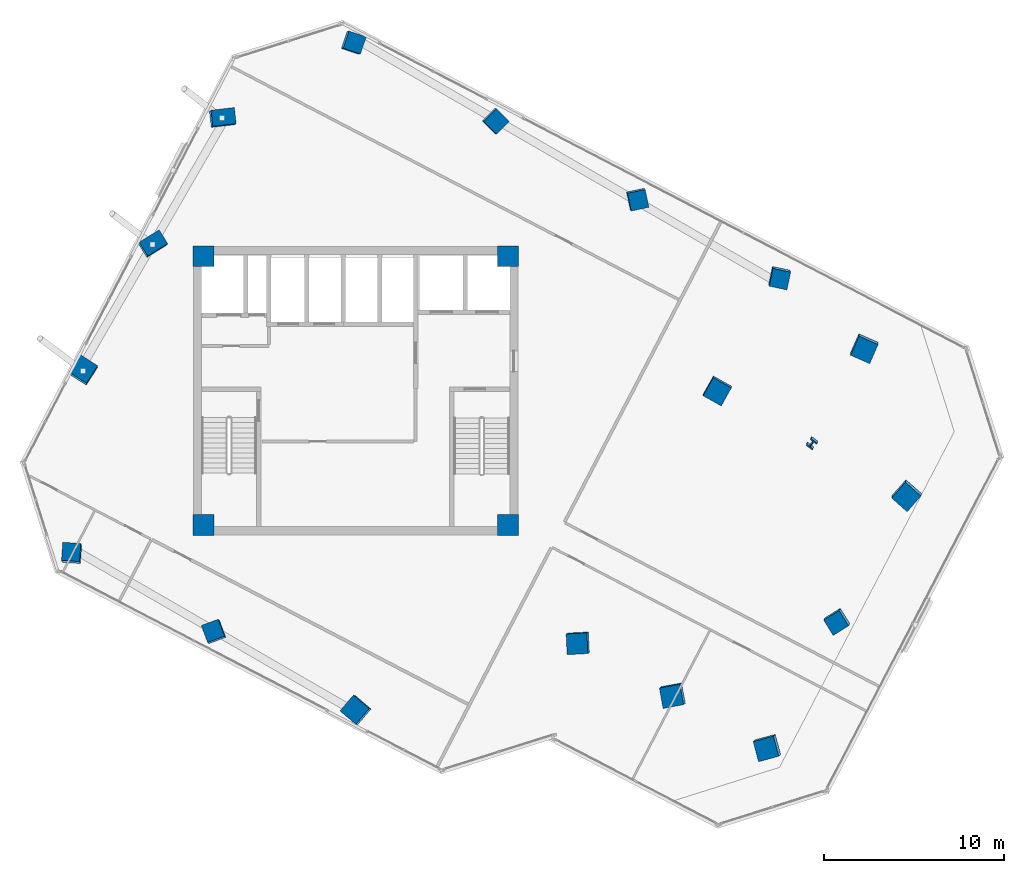
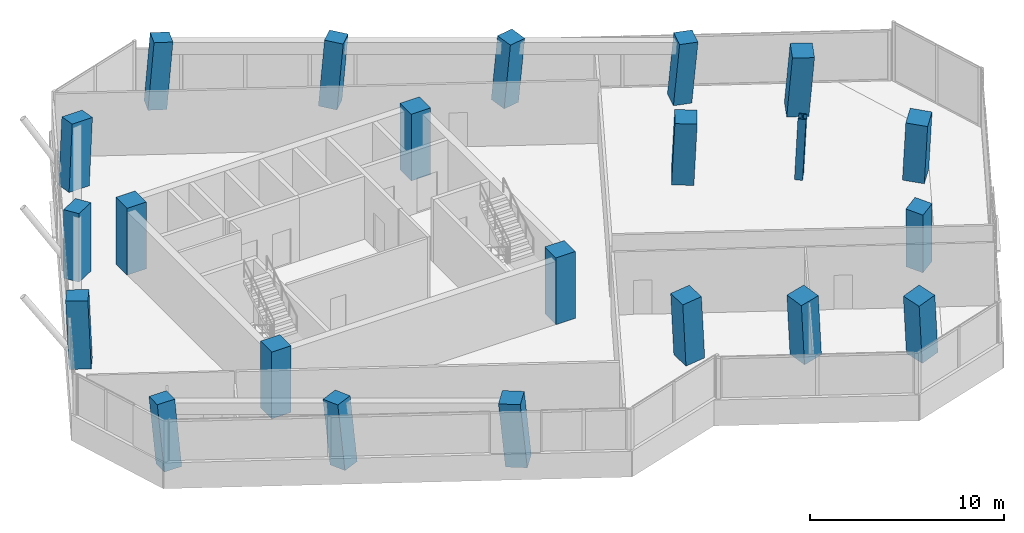
# One storey, part 1 of 22: 22 columns.
"""IFC4 building model written with IfcOpenShell, lengths in metres."""

from ifc_helpers import new_model, si_unit, direction, frame, origin, origin_2d, place, context, subcontext, project, spatial, rectangle, i_section, extrude, clip, halfspace, source, transform, mapped, material, material_profile, profile_set, type_object, element, save


model = new_model("IFC4")

# Units and contexts
model_context = context("Model", 3, precision=1e-05, world=origin(), true_north=direction((0.0, 1.0)))
body_context = subcontext(model_context, "Body", "Model", "MODEL_VIEW")
ifc_project = project(units=[si_unit("LENGTHUNIT", "METRE"), si_unit("AREAUNIT", "SQUARE_METRE"), si_unit("VOLUMEUNIT", "CUBIC_METRE"), si_unit("PLANEANGLEUNIT", "RADIAN"), si_unit("MASSUNIT", "GRAM", prefix="KILO")], contexts=[model_context])

# Site, building, storey
site_placement = place(None, origin())
site = spatial("IfcSite", under=ifc_project, at=site_placement, CompositionType="ELEMENT")
building_placement = place(site_placement, origin())
building = spatial("IfcBuilding", under=site, at=building_placement, Name="Torre Montelarca", CompositionType="ELEMENT")
storey_placement = place(building_placement, frame((0.0, 0.0, 175.0)))
storey = spatial("IfcBuildingStorey", under=building, at=storey_placement, Name="L39", CompositionType="ELEMENT", Elevation=175.0)

# Columns
ifc_material_1 = material(Name="Concrete C55/67", Category="concrete")
ifc_material_profile_1 = material_profile(ifc_material_1, rectangle(XDim=0.89990234375, YDim=1.300048828125, at=origin_2d()), Name="RC1300X900", Category="concrete")
ifc_profile_set_1 = profile_set([ifc_material_profile_1], Name="Concrete C55/67")
column_type_1 = type_object("IfcColumnType", Name="COL-PIL1300-EXT", PredefinedType="PILASTER", material=ifc_profile_set_1)
column_1_placement = place(storey_placement, frame((6.727294921875, 40.104736328125, 0.0), z_axis=(0.042736194297, 0.075975456529, 0.996193428859), x_axis=(0.52922107103, -0.847447407384, 0.041927910717)))
element("IfcColumn", 1, at=column_1_placement, inside=storey, type_object=column_type_1, Name="L39 Column 1W/E", PredefinedType="PILASTER", context=body_context, shape_type="Clipping", body=[
    clip(clip(extrude(rectangle(XDim=0.89990234375, YDim=1.300048828125, at=origin_2d()), origin(), (0.0, 0.0, 1.0), 4.216064453125), halfspace(frame((0.0, 0.0, 0.069580078125), z_axis=(0.0, 0.0, -1.0), x_axis=(1.0, 0.0, 0.0)), False)), halfspace(frame((0.0, 0.0, 4.146484375), z_axis=(0.0, 0.0, 1.0), x_axis=(1.0, 0.0, 0.0)), False)),
])
column_2_placement = place(storey_placement, frame((10.5751953125, 47.118408203125, 0.0), z_axis=(0.078745413321, 0.055659873339, 0.995339710039), x_axis=(0.115101966817, -0.992270247351, 0.046382038081)))
element("IfcColumn", 2, at=column_2_placement, inside=storey, type_object=column_type_1, Name="L39 Column 1W/F", PredefinedType="PILASTER", context=body_context, shape_type="Clipping", body=[
    clip(clip(extrude(rectangle(XDim=0.89990234375, YDim=1.300048828125, at=origin_2d()), origin(), (0.0, 0.0, 1.0), 4.2197265625), halfspace(frame((0.0, 0.0, 0.076904296875), z_axis=(0.0, 0.0, -1.0), x_axis=(1.0, 0.0, 0.0)), False)), halfspace(frame((0.0, 0.0, 4.142822265625), z_axis=(0.0, 0.0, 1.0), x_axis=(1.0, 0.0, 0.0)), False)),
])
ifc_material_profile_2 = material_profile(ifc_material_1, rectangle(XDim=1.0, YDim=1.0, at=origin_2d()), Name="RC1000X1000", Category="concrete")
ifc_profile_set_2 = profile_set([ifc_material_profile_2], Name="Concrete C55/67")
column_type_2 = type_object("IfcColumnType", Name="COL-RC1000-EXT", PredefinedType="COLUMN", material=ifc_profile_set_2)
column_3_placement = place(storey_placement, frame((2.267822265625, 22.9326171875, 0.0), z_axis=(-0.045702324367, 0.099840223143, 0.993953332602), x_axis=(0.996162629473, -0.069790249582, 0.052814171435)))
element("IfcColumn", 3, at=column_3_placement, inside=storey, type_object=column_type_2, Name="L39 Column 2/CS", PredefinedType="COLUMN", context=body_context, shape_type="Clipping", body=[
    clip(clip(extrude(rectangle(XDim=1.0, YDim=1.0, at=origin_2d()), origin(), (0.0, 0.0, 1.0), 4.2255859375), halfspace(frame((0.0, 0.0, 0.07568359375), z_axis=(0.0, 0.0, -1.0), x_axis=(1.0, 0.0, 0.0)), False)), halfspace(frame((0.0, 0.0, 4.14990234375), z_axis=(0.0, 0.0, 1.0), x_axis=(1.0, 0.0, 0.0)), False)),
])
column_4_placement = place(storey_placement, frame((17.827880859375, 51.294921875, 0.0), z_axis=(0.099928697184, 0.017869194114, 0.994834130587), x_axis=(-0.316704561364, -0.94726667041, 0.048827000127)))
element("IfcColumn", 4, at=column_4_placement, inside=storey, type_object=column_type_2, Name="L39 Column 2/GN", PredefinedType="COLUMN", context=body_context, shape_type="Clipping", body=[
    clip(clip(extrude(rectangle(XDim=1.0, YDim=1.0, at=origin_2d()), origin(), (0.0, 0.0, 1.0), 4.2216796875), halfspace(frame((0.0, 0.0, 0.070068359375), z_axis=(0.0, 0.0, -1.0), x_axis=(1.0, 0.0, 0.0)), False)), halfspace(frame((0.0, 0.0, 4.151611328125), z_axis=(0.0, 0.0, 1.0), x_axis=(1.0, 0.0, 0.0)), False)),
])
column_5_placement = place(storey_placement, frame((10.158447265625, 18.603759765625, 0.0), z_axis=(-0.068656550624, 0.059452173264, 0.995867319049), x_axis=(0.936025250546, 0.349211237631, 0.043683427664)))
element("IfcColumn", 5, at=column_5_placement, inside=storey, type_object=column_type_2, Name="L39 Column 3/CS", PredefinedType="COLUMN", context=body_context, shape_type="Clipping", body=[
    clip(clip(extrude(rectangle(XDim=1.0, YDim=1.0, at=origin_2d()), origin(), (0.0, 0.0, 1.0), 4.21728515625), halfspace(frame((0.0, 0.0, 0.0625), z_axis=(0.0, 0.0, -1.0), x_axis=(1.0, 0.0, 0.0)), False)), halfspace(frame((0.0, 0.0, 4.15478515625), z_axis=(0.0, 0.0, 1.0), x_axis=(1.0, 0.0, 0.0)), False)),
])
column_6_placement = place(storey_placement, frame((25.718505859375, 46.9658203125, 0.0), z_axis=(0.077235078987, -0.022654850625, 0.996755486725), x_axis=(-0.706813326993, -0.706339945504, 0.038714366459)))
element("IfcColumn", 6, at=column_6_placement, inside=storey, type_object=column_type_2, Name="L39 Column 3/GN", PredefinedType="COLUMN", context=body_context, shape_type="Clipping", body=[
    clip(clip(extrude(rectangle(XDim=1.0, YDim=1.0, at=origin_2d()), origin(), (0.0, 0.0, 1.0), 4.213623046875), halfspace(frame((0.0, 0.0, 0.0556640625), z_axis=(0.0, 0.0, -1.0), x_axis=(1.0, 0.0, 0.0)), False)), halfspace(frame((0.0, 0.0, 4.157958984375), z_axis=(0.0, 0.0, 1.0), x_axis=(1.0, 0.0, 0.0)), False)),
])
column_7_placement = place(storey_placement, frame((33.60888671875, 42.636962890625, 0.0), z_axis=(0.054393222094, -0.063256015471, 0.996513950679), x_axis=(-0.977264659428, -0.208191259518, 0.040127109214)))
element("IfcColumn", 7, at=column_7_placement, inside=storey, type_object=column_type_2, Name="L39 Column 4/GN", PredefinedType="COLUMN", context=body_context, shape_type="Clipping", body=[
    clip(clip(extrude(rectangle(XDim=1.0, YDim=1.0, at=origin_2d()), origin(), (0.0, 0.0, 1.0), 4.214599609375), halfspace(frame((0.0, 0.0, 0.0576171875), z_axis=(0.0, 0.0, -1.0), x_axis=(1.0, 0.0, 0.0)), False)), halfspace(frame((0.0, 0.0, 4.156982421875), z_axis=(0.0, 0.0, 1.0), x_axis=(1.0, 0.0, 0.0)), False)),
])
column_8_placement = place(storey_placement, frame((41.49951171875, 38.30810546875, 0.0), z_axis=(0.031436475179, -0.103613235287, 0.994120739901), x_axis=(-0.977788289005, 0.203021483384, 0.052080122591)))
element("IfcColumn", 8, at=column_8_placement, inside=storey, type_object=column_type_2, Name="L39 Column 5/GN", PredefinedType="COLUMN", context=body_context, shape_type="Clipping", body=[
    clip(clip(extrude(rectangle(XDim=1.0, YDim=1.0, at=origin_2d()), origin(), (0.0, 0.0, 1.0), 4.224853515625), halfspace(frame((0.0, 0.0, 0.07470703125), z_axis=(0.0, 0.0, -1.0), x_axis=(1.0, 0.0, 0.0)), False)), halfspace(frame((0.0, 0.0, 4.150146484375), z_axis=(0.0, 0.0, 1.0), x_axis=(1.0, 0.0, 0.0)), False)),
])
column_9_placement = place(storey_placement, frame((44.7333984375, 19.25390625, 0.0), z_axis=(-0.066915065286, -0.118857740749, 0.99065393125), x_axis=(-0.530216325585, 0.845320310072, 0.065606565695)))
element("IfcColumn", 9, at=column_9_placement, inside=storey, type_object=column_type_2, Name="L39 Column 7/E", PredefinedType="COLUMN", context=body_context, shape_type="Clipping", body=[
    clip(clip(extrude(rectangle(XDim=1.0, YDim=1.0, at=origin_2d()), origin(), (0.0, 0.0, 1.0), 4.239501953125), halfspace(frame((0.0, 0.0, 0.09423828125), z_axis=(0.0, 0.0, -1.0), x_axis=(1.0, 0.0, 0.0)), False)), halfspace(frame((0.0, 0.0, 4.145263671875), z_axis=(0.0, 0.0, 1.0), x_axis=(1.0, 0.0, 0.0)), False)),
])
ifc_material_profile_3 = material_profile(ifc_material_1, rectangle(XDim=1.14990234375, YDim=1.14990234375, at=origin_2d()), Name="RC1150X1150", Category="concrete")
ifc_profile_set_3 = profile_set([ifc_material_profile_3], Name="Concrete C55/67")
column_type_3 = type_object("IfcColumnType", Name="COL-RC1150", PredefinedType="COLUMN", material=ifc_profile_set_3)
column_10_placement = place(storey_placement, frame((30.364501953125, 18.01171875, 0.0), z_axis=(-0.072857964063, -0.045058422926, 0.996323971204), x_axis=(-0.05356759986, 0.997713755824, 0.041204049376)))
element("IfcColumn", 10, at=column_10_placement, inside=storey, type_object=column_type_3, Name="L39 Column 5/D", PredefinedType="COLUMN", context=body_context, shape_type="Clipping", body=[
    clip(clip(extrude(rectangle(XDim=1.14990234375, YDim=1.14990234375, at=origin_2d()), origin(), (0.0, 0.0, 1.0), 4.21533203125), halfspace(frame((0.0, 0.0, 0.06787109375), z_axis=(0.0, 0.0, -1.0), x_axis=(1.0, 0.0, 0.0)), False)), halfspace(frame((0.0, 0.0, 4.1474609375), z_axis=(0.0, 0.0, 1.0), x_axis=(1.0, 0.0, 0.0)), False)),
])
column_11_placement = place(storey_placement, frame((38.060302734375, 32.03955078125, 0.0), z_axis=(-0.000694985386, -0.08571486428, 0.996319466354), x_axis=(-0.872812511022, 0.486311083762, 0.041229242216)))
element("IfcColumn", 11, at=column_11_placement, inside=storey, type_object=column_type_3, Name="L39 Column 5/F", PredefinedType="COLUMN", context=body_context, shape_type="Clipping", body=[
    clip(clip(extrude(rectangle(XDim=1.14990234375, YDim=1.14990234375, at=origin_2d()), origin(), (0.0, 0.0, 1.0), 4.215576171875), halfspace(frame((0.0, 0.0, 0.06787109375), z_axis=(0.0, 0.0, -1.0), x_axis=(1.0, 0.0, 0.0)), False)), halfspace(frame((0.0, 0.0, 4.147705078125), z_axis=(0.0, 0.0, 1.0), x_axis=(1.0, 0.0, 0.0)), False)),
])
column_12_placement = place(storey_placement, frame((35.625, 15.1259765625, 0.0), z_axis=(-0.08790022673, -0.071960369583, 0.993526675711), x_axis=(-0.185602299854, 0.98110461781, 0.054639868245)))
element("IfcColumn", 12, at=column_12_placement, inside=storey, type_object=column_type_3, Name="L39 Column 6/D", PredefinedType="COLUMN", context=body_context, shape_type="Clipping", body=[
    clip(clip(extrude(rectangle(XDim=1.14990234375, YDim=1.14990234375, at=origin_2d()), origin(), (0.0, 0.0, 1.0), 4.227294921875), halfspace(frame((0.0, 0.0, 0.090087890625), z_axis=(0.0, 0.0, -1.0), x_axis=(1.0, 0.0, 0.0)), False)), halfspace(frame((0.0, 0.0, 4.13720703125), z_axis=(0.0, 0.0, 1.0), x_axis=(1.0, 0.0, 0.0)), False)),
])
column_13_placement = place(storey_placement, frame((46.206787109375, 34.413818359375, 0.0), z_axis=(0.011011629628, -0.127354397115, 0.99179614919), x_axis=(-0.914561693173, 0.399745612857, 0.061484586537)))
element("IfcColumn", 13, at=column_13_placement, inside=storey, type_object=column_type_3, Name="L39 Column 6/G", PredefinedType="COLUMN", context=body_context, shape_type="Clipping", body=[
    clip(clip(extrude(rectangle(XDim=1.14990234375, YDim=1.14990234375, at=origin_2d()), origin(), (0.0, 0.0, 1.0), 4.234619140625), halfspace(frame((0.0, 0.0, 0.101318359375), z_axis=(0.0, 0.0, -1.0), x_axis=(1.0, 0.0, 0.0)), False)), halfspace(frame((0.0, 0.0, 4.13330078125), z_axis=(0.0, 0.0, 1.0), x_axis=(1.0, 0.0, 0.0)), False)),
])
ifc_material_profile_4 = material_profile(ifc_material_1, rectangle(XDim=1.14990234375, YDim=1.14990234375, at=origin_2d()), Name="RC1150X1150", Category="concrete")
ifc_profile_set_4 = profile_set([ifc_material_profile_4], Name="Concrete C55/67")
column_type_4 = type_object("IfcColumnType", Name="COL-RC1150-EXT", PredefinedType="COLUMN", material=ifc_profile_set_4)
column_14_placement = place(storey_placement, frame((18.049072265625, 14.27490234375, 0.0), z_axis=(-0.091500617733, 0.018867300051, 0.995626266198), x_axis=(0.646073035963, 0.761951658232, 0.044936652286)))
element("IfcColumn", 14, at=column_14_placement, inside=storey, type_object=column_type_4, Name="L39 Column 4/CS", PredefinedType="COLUMN", context=body_context, shape_type="Clipping", body=[
    clip(clip(extrude(rectangle(XDim=1.14990234375, YDim=1.14990234375, at=origin_2d()), origin(), (0.0, 0.0, 1.0), 4.218505859375), halfspace(frame((0.0, 0.0, 0.073974609375), z_axis=(0.0, 0.0, -1.0), x_axis=(1.0, 0.0, 0.0)), False)), halfspace(frame((0.0, 0.0, 4.14453125), z_axis=(0.0, 0.0, 1.0), x_axis=(1.0, 0.0, 0.0)), False)),
])
for number, where, z_axis, x_axis, name in (
    (15, (40.88525390625, 12.239990234375, 0.0), (-0.102647428215, -0.098562244693, 0.989822706045), (-0.263814321847, 0.962141844179, 0.068447609656), "L39 Column 7/D"),
    (16, (48.581298828125, 26.267578125, 0.0), (-0.031012826298, -0.138896034665, 0.989821244548), (-0.751909306924, 0.655703171825, 0.068452499003), "L39 Column 7/F"),
):
    element("IfcColumn", number, at=place(storey_placement, frame(where, z_axis=z_axis, x_axis=x_axis)), inside=storey, type_object=column_type_4, Name=name, PredefinedType="COLUMN", context=body_context, shape_type="Clipping", body=[
        clip(clip(extrude(rectangle(XDim=1.14990234375, YDim=1.14990234375, at=origin_2d()), origin(), (0.0, 0.0, 1.0), 4.2431640625), halfspace(frame((0.0, 0.0, 0.113037109375), z_axis=(0.0, 0.0, -1.0), x_axis=(1.0, 0.0, 0.0)), False)), halfspace(frame((0.0, 0.0, 4.130126953125), z_axis=(0.0, 0.0, 1.0), x_axis=(1.0, 0.0, 0.0)), False)),
    ])
column_15_placement = place(storey_placement, frame((2.879150390625, 33.0908203125, 0.0), z_axis=(0.006711571404, 0.096218476248, 0.995337610883), x_axis=(0.841288372438, -0.538592252257, 0.046392458542)))
element("IfcColumn", 17, at=column_15_placement, inside=storey, type_object=column_type_4, Name="L39 Column 1W/D", PredefinedType="COLUMN", context=body_context, shape_type="Clipping", body=[
    clip(clip(extrude(rectangle(XDim=1.14990234375, YDim=1.14990234375, at=origin_2d()), origin(), (0.0, 0.0, 1.0), 4.2197265625), halfspace(frame((0.0, 0.0, 0.076416015625), z_axis=(0.0, 0.0, -1.0), x_axis=(1.0, 0.0, 0.0)), False)), halfspace(frame((0.0, 0.0, 4.143310546875), z_axis=(0.0, 0.0, 1.0), x_axis=(1.0, 0.0, 0.0)), False)),
])
ifc_material_2 = material(Name="Steel ASTM A992 Grade 50", Category="steel")
ifc_material_profile_5 = material_profile(ifc_material_2, i_section(OverallWidth=0.4208984375, OverallDepth=0.465087890625, WebThickness=0.044921875, FlangeThickness=0.072265625, FilletRadius=0.014892578125, at=origin_2d()), Name="W360X592", Category="steel")
ifc_profile_set_5 = profile_set([ifc_material_profile_5], Name="Steel ASTM A992 Grade 50")
column_type_5 = type_object("IfcColumnType", Name="COL-W360X592", PredefinedType="COLUMN", material=ifc_profile_set_5)
column_16_placement = place(storey_placement, frame((43.32080078125, 29.153564453125, 0.0), z_axis=(-0.015939910712, -0.112445674479, 0.993530014412), x_axis=(-0.800976839282, 0.596198056481, 0.054625821562)))
element("IfcColumn", 18, at=column_16_placement, inside=storey, type_object=column_type_5, Name="L39 Column 6/F", PredefinedType="COLUMN", context=body_context, shape_type="Clipping", body=[
    clip(clip(extrude(i_section(OverallWidth=0.4208984375, OverallDepth=0.465087890625, WebThickness=0.044921875, FlangeThickness=0.072265625, FilletRadius=0.014892578125, at=origin_2d()), origin(), (0.0, 0.0, 1.0), 4.227294921875), halfspace(frame((0.0, 0.0, 0.03564453125), z_axis=(0.0, 0.0, -1.0), x_axis=(1.0, 0.0, 0.0)), False)), halfspace(frame((0.0, 0.0, 4.191650390625), z_axis=(0.0, 0.0, 1.0), x_axis=(1.0, 0.0, 0.0)), False)),
])
shared_shape = source(origin(), body_context, "Body", "SweptSolid", [
    extrude(rectangle(XDim=1.14990234375, YDim=1.14990234375, at=origin_2d()), origin(), (0.0, 0.0, 1.0), 4.198486328125),
])
for number, where, z_axis, x_axis, name in (
    (19, (9.550048828125, 24.550048828125, 0.000732421875), (0.0, 0.0, 1.0), (1.0, 0.0, 0.0), "L39 Plumb Core Corner Column 2D"),
    (20, (26.449951171875, 24.550048828125, 0.000732421875), (0.0, 0.0, 1.0), (1.0, 0.0, 0.0), "L39 Plumb Core Corner Column 4D"),
    (21, (9.550048828125, 39.449951171875, 0.000732421875), (0.0, 0.0, 1.0), (1.0, 0.0, 0.0), "L39 Plumb Core Corner Column 2F"),
    (22, (26.449951171875, 39.449951171875, 0.000732421875), (0.0, 0.0, 1.0), (1.0, 0.0, 0.0), "L39 Plumb Core Corner Column 4F"),
):
    element("IfcColumn", number, at=place(storey_placement, frame(where, z_axis=z_axis, x_axis=x_axis)), inside=storey, type_object=column_type_3, Name=name, PredefinedType="COLUMN", context=body_context, shape_type="MappedRepresentation", body=[
        mapped(shared_shape, transform((0.0, 0.0, 0.0), scale=1.0)),
    ])

save(model, "model.ifc")
